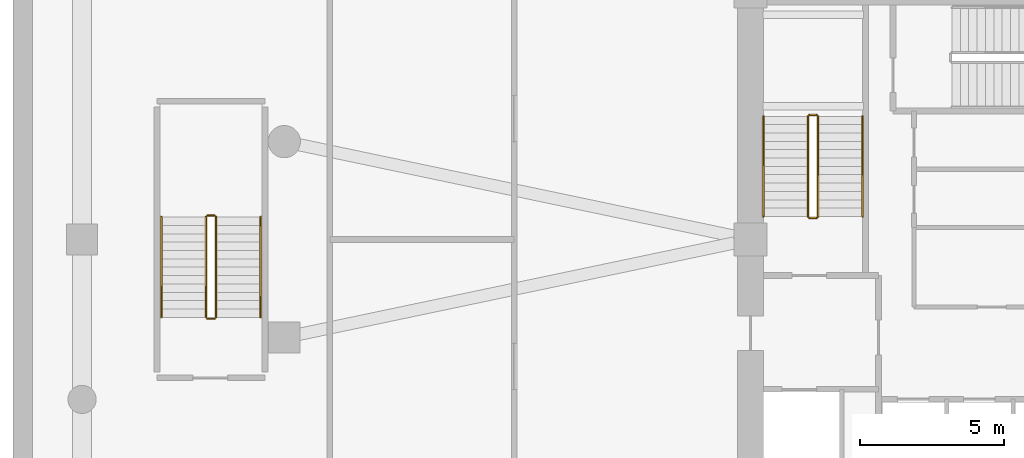
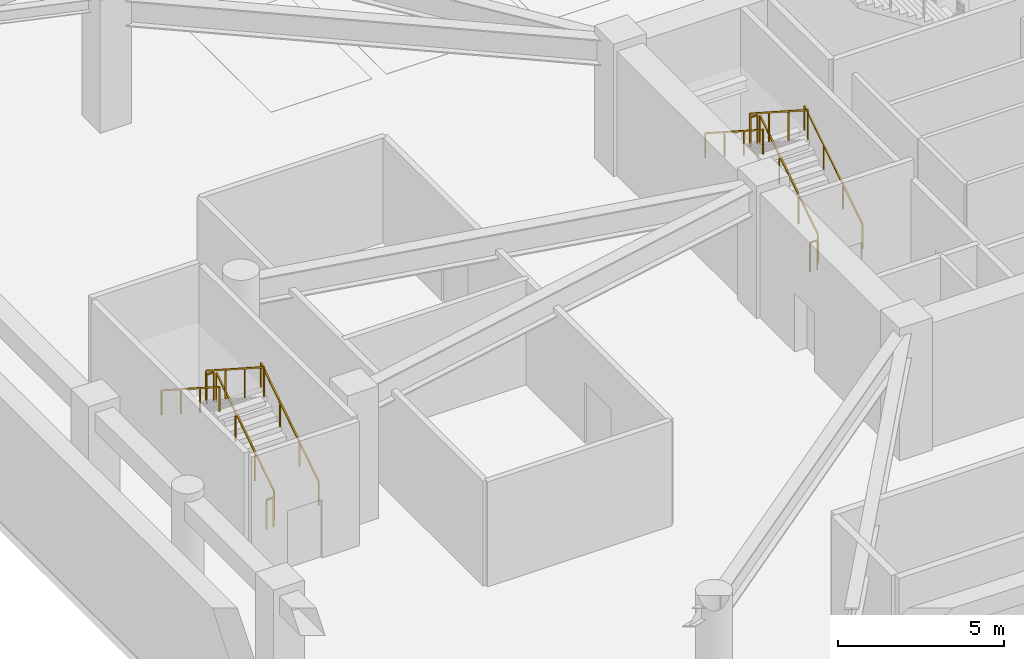
# One storey, part 5 of 8: 12 railings.
"""IFC4 building model written with IfcOpenShell, lengths in metres."""

from ifc_helpers import new_model, si_unit, derived_unit, direction, frame, origin, origin_2d, place, context, subcontext, project, spatial, rectangle, extrude, material, type_object, element, save


model = new_model("IFC4")

# Units and contexts
model_context = context("Model", 3, precision=1e-05, world=origin(), true_north=direction((0.0, 1.0)))
body_context = subcontext(model_context, "Body", "Model", "MODEL_VIEW")
ifc_project = project(units=[si_unit("LENGTHUNIT", "METRE"), si_unit("AREAUNIT", "SQUARE_METRE"), si_unit("VOLUMEUNIT", "CUBIC_METRE"), si_unit("PLANEANGLEUNIT", "RADIAN"), si_unit("MASSUNIT", "GRAM", prefix="KILO"), derived_unit("THERMALTRANSMITTANCEUNIT", [(si_unit("POWERUNIT", "WATT"), 1), (si_unit("LENGTHUNIT", "METRE"), -2), (si_unit("THERMODYNAMICTEMPERATUREUNIT", "KELVIN"), -1)])], contexts=[model_context])

# Site, building, storey
site_placement = place(None, origin())
site = spatial("IfcSite", under=ifc_project, at=site_placement, CompositionType="ELEMENT")
building_placement = place(site_placement, origin())
building = spatial("IfcBuilding", under=site, at=building_placement, Name="Koralith Skygarden Medical Center", CompositionType="ELEMENT")
storey_placement = place(building_placement, frame((0.0, 0.0, -4.860107421875)))
storey = spatial("IfcBuildingStorey", under=building, at=storey_placement, Name="B1", CompositionType="ELEMENT", Elevation=-4.860107421875)

# Railings
ifc_material = material(Name="Steel ASTM A500 Grade C", Category="steel")
railing_type_1 = type_object("IfcRailingType", Name="Stair Flight Tubular Handrail 920", PredefinedType="HANDRAIL", material=ifc_material)
railing_1_placement = place(storey_placement, frame((29.699951171875, 26.699951171875, 0.18701171875)))
element("IfcRailing", 1, at=railing_1_placement, inside=storey, type_object=railing_type_1, Name="B1 ST1 stair handrail 1", PredefinedType="HANDRAIL", context=body_context, shape_type="SweptSolid", body=[
    extrude(rectangle(XDim=0.050048828125, YDim=0.050048828125, at=origin_2d()), frame((0.0, 0.001708984375, 0.89599609375), z_axis=(0.0, 0.840514944087, 0.541788361602), x_axis=(-1.0, 0.0, 0.0)), (0.0, 0.0, 1.0), 4.13623046875),
    extrude(rectangle(XDim=0.0419921875, YDim=0.0419921875, at=origin_2d()), origin(), (0.0, 0.0, 1.0), 0.867919921875),
    extrude(rectangle(XDim=0.0419921875, YDim=0.0419921875, at=origin_2d()), frame((0.0, 1.159912109375, 0.747802734375)), (0.0, 0.0, 1.0), 0.867919921875),
    extrude(rectangle(XDim=0.0419921875, YDim=0.0419921875, at=origin_2d()), frame((0.0, 2.320068359375, 1.495361328125)), (0.0, 0.0, 1.0), 0.867919921875),
    extrude(rectangle(XDim=0.0419921875, YDim=0.0419921875, at=origin_2d()), frame((0.0, 3.47998046875, 2.2431640625)), (0.0, 0.0, 1.0), 0.867919921875),
])
railing_2_placement = place(storey_placement, frame((26.25, 30.179931640625, 2.616943359375)))
element("IfcRailing", 2, at=railing_2_placement, inside=storey, type_object=railing_type_1, Name="B1 ST1 stair handrail 2", PredefinedType="HANDRAIL", context=body_context, shape_type="SweptSolid", body=[
    extrude(rectangle(XDim=0.050048828125, YDim=0.050048828125, at=origin_2d()), frame((0.0, -0.001708984375, 0.89599609375), z_axis=(0.0, -0.840514944087, 0.541788361602), x_axis=(1.0, 0.0, 0.0)), (0.0, 0.0, 1.0), 4.13623046875),
    extrude(rectangle(XDim=0.0419921875, YDim=0.0419921875, at=origin_2d()), origin(), (0.0, 0.0, 1.0), 0.867919921875),
    extrude(rectangle(XDim=0.0419921875, YDim=0.0419921875, at=origin_2d()), frame((0.0, -1.159912109375, 0.747802734375)), (0.0, 0.0, 1.0), 0.867919921875),
    extrude(rectangle(XDim=0.0419921875, YDim=0.0419921875, at=origin_2d()), frame((0.0, -2.320068359375, 1.495361328125)), (0.0, 0.0, 1.0), 0.867919921875),
    extrude(rectangle(XDim=0.0419921875, YDim=0.0419921875, at=origin_2d()), frame((0.0, -3.47998046875, 2.2431640625)), (0.0, 0.0, 1.0), 0.867919921875),
])
railing_3_placement = place(storey_placement, frame((8.800048828125, 23.199951171875, 0.18701171875)))
element("IfcRailing", 3, at=railing_3_placement, inside=storey, type_object=railing_type_1, Name="B1 ST4 stair handrail 1", PredefinedType="HANDRAIL", context=body_context, shape_type="SweptSolid", body=[
    extrude(rectangle(XDim=0.050048828125, YDim=0.050048828125, at=origin_2d()), frame((0.0, 0.001708984375, 0.89599609375), z_axis=(0.0, 0.840514944087, 0.541788361602), x_axis=(-1.0, 0.0, 0.0)), (0.0, 0.0, 1.0), 4.13623046875),
    extrude(rectangle(XDim=0.0419921875, YDim=0.0419921875, at=origin_2d()), origin(), (0.0, 0.0, 1.0), 0.867919921875),
    extrude(rectangle(XDim=0.0419921875, YDim=0.0419921875, at=origin_2d()), frame((0.0, 1.159912109375, 0.747802734375)), (0.0, 0.0, 1.0), 0.867919921875),
    extrude(rectangle(XDim=0.0419921875, YDim=0.0419921875, at=origin_2d()), frame((0.0, 2.320068359375, 1.495361328125)), (0.0, 0.0, 1.0), 0.867919921875),
    extrude(rectangle(XDim=0.0419921875, YDim=0.0419921875, at=origin_2d()), frame((0.0, 3.47998046875, 2.2431640625)), (0.0, 0.0, 1.0), 0.867919921875),
])
railing_4_placement = place(storey_placement, frame((5.35009765625, 26.679931640625, 2.616943359375)))
element("IfcRailing", 4, at=railing_4_placement, inside=storey, type_object=railing_type_1, Name="B1 ST4 stair handrail 2", PredefinedType="HANDRAIL", context=body_context, shape_type="SweptSolid", body=[
    extrude(rectangle(XDim=0.050048828125, YDim=0.050048828125, at=origin_2d()), frame((0.0, -0.001708984375, 0.89599609375), z_axis=(0.0, -0.840514944087, 0.541788361602), x_axis=(1.0, 0.0, 0.0)), (0.0, 0.0, 1.0), 4.13623046875),
    extrude(rectangle(XDim=0.0419921875, YDim=0.0419921875, at=origin_2d()), origin(), (0.0, 0.0, 1.0), 0.867919921875),
    extrude(rectangle(XDim=0.0419921875, YDim=0.0419921875, at=origin_2d()), frame((0.0, -1.159912109375, 0.747802734375)), (0.0, 0.0, 1.0), 0.867919921875),
    extrude(rectangle(XDim=0.0419921875, YDim=0.0419921875, at=origin_2d()), frame((0.0, -2.320068359375, 1.495361328125)), (0.0, 0.0, 1.0), 0.867919921875),
    extrude(rectangle(XDim=0.0419921875, YDim=0.0419921875, at=origin_2d()), frame((0.0, -3.47998046875, 2.2431640625)), (0.0, 0.0, 1.0), 0.867919921875),
])
railing_type_2 = type_object("IfcRailingType", Name="Stair Well Safety Guardrail 1100", PredefinedType="GUARDRAIL", material=ifc_material)
railing_5_placement = place(storey_placement, frame((28.14990234375, 26.699951171875, 0.18701171875)))
element("IfcRailing", 5, at=railing_5_placement, inside=storey, type_object=railing_type_2, Name="B1 ST1 stair guard 1", PredefinedType="GUARDRAIL", context=body_context, shape_type="SweptSolid", body=[
    extrude(rectangle(XDim=0.050048828125, YDim=0.050048828125, at=origin_2d()), frame((0.0, 0.001708984375, 1.076171875), z_axis=(0.0, 0.840514944087, 0.541788361602), x_axis=(-1.0, 0.0, 0.0)), (0.0, 0.0, 1.0), 4.13623046875),
    extrude(rectangle(XDim=0.0419921875, YDim=0.0419921875, at=origin_2d()), origin(), (0.0, 0.0, 1.0), 1.048095703125),
    extrude(rectangle(XDim=0.0419921875, YDim=0.0419921875, at=origin_2d()), frame((0.0, 1.159912109375, 0.747802734375)), (0.0, 0.0, 1.0), 1.048095703125),
    extrude(rectangle(XDim=0.0419921875, YDim=0.0419921875, at=origin_2d()), frame((0.0, 2.320068359375, 1.495361328125)), (0.0, 0.0, 1.0), 1.048095703125),
    extrude(rectangle(XDim=0.0419921875, YDim=0.0419921875, at=origin_2d()), frame((0.0, 3.47998046875, 2.2431640625)), (0.0, 0.0, 1.0), 1.048095703125),
])
railing_6_placement = place(storey_placement, frame((28.10009765625, 30.22998046875, 2.43017578125)))
element("IfcRailing", 6, at=railing_6_placement, inside=storey, type_object=railing_type_2, Name="B1 ST1 stair guard 2", PredefinedType="GUARDRAIL", context=body_context, shape_type="SweptSolid", body=[
    extrude(rectangle(XDim=0.050048828125, YDim=0.050048828125, at=origin_2d()), frame((-0.001953125, 0.0, 1.0751953125), z_axis=(-1.0, 0.0, 0.0), x_axis=(0.0, -1.0, 0.0)), (0.0, 0.0, 1.0), 0.24609375),
    extrude(rectangle(XDim=0.0419921875, YDim=0.0419921875, at=origin_2d()), origin(), (0.0, 0.0, 1.0), 1.048095703125),
    extrude(rectangle(XDim=0.0419921875, YDim=0.0419921875, at=origin_2d()), frame((-0.25, 0.0, 0.0)), (0.0, 0.0, 1.0), 1.048095703125),
])
railing_7_placement = place(storey_placement, frame((27.800048828125, 30.179931640625, 2.616943359375)))
element("IfcRailing", 7, at=railing_7_placement, inside=storey, type_object=railing_type_2, Name="B1 ST1 stair guard 3", PredefinedType="GUARDRAIL", context=body_context, shape_type="SweptSolid", body=[
    extrude(rectangle(XDim=0.050048828125, YDim=0.050048828125, at=origin_2d()), frame((0.0, -0.001708984375, 1.076171875), z_axis=(0.0, -0.840514944087, 0.541788361602), x_axis=(1.0, 0.0, 0.0)), (0.0, 0.0, 1.0), 4.13623046875),
    extrude(rectangle(XDim=0.0419921875, YDim=0.0419921875, at=origin_2d()), origin(), (0.0, 0.0, 1.0), 1.048095703125),
    extrude(rectangle(XDim=0.0419921875, YDim=0.0419921875, at=origin_2d()), frame((0.0, -1.159912109375, 0.747802734375)), (0.0, 0.0, 1.0), 1.048095703125),
    extrude(rectangle(XDim=0.0419921875, YDim=0.0419921875, at=origin_2d()), frame((0.0, -2.320068359375, 1.495361328125)), (0.0, 0.0, 1.0), 1.048095703125),
    extrude(rectangle(XDim=0.0419921875, YDim=0.0419921875, at=origin_2d()), frame((0.0, -3.47998046875, 2.2431640625)), (0.0, 0.0, 1.0), 1.048095703125),
])
railing_8_placement = place(storey_placement, frame((28.10009765625, 26.64990234375, 0.0)))
element("IfcRailing", 8, at=railing_8_placement, inside=storey, type_object=railing_type_2, Name="B1 ST1 stair guard 4", PredefinedType="GUARDRAIL", context=body_context, shape_type="SweptSolid", body=[
    extrude(rectangle(XDim=0.050048828125, YDim=0.050048828125, at=origin_2d()), frame((-0.001953125, 0.0, 1.0751953125), z_axis=(-1.0, 0.0, 0.0), x_axis=(0.0, -1.0, 0.0)), (0.0, 0.0, 1.0), 0.24609375),
    extrude(rectangle(XDim=0.0419921875, YDim=0.0419921875, at=origin_2d()), origin(), (0.0, 0.0, 1.0), 1.048095703125),
    extrude(rectangle(XDim=0.0419921875, YDim=0.0419921875, at=origin_2d()), frame((-0.25, 0.0, 0.0)), (0.0, 0.0, 1.0), 1.048095703125),
])
railing_9_placement = place(storey_placement, frame((7.25, 23.199951171875, 0.18701171875)))
element("IfcRailing", 9, at=railing_9_placement, inside=storey, type_object=railing_type_2, Name="B1 ST4 stair guard 1", PredefinedType="GUARDRAIL", context=body_context, shape_type="SweptSolid", body=[
    extrude(rectangle(XDim=0.050048828125, YDim=0.050048828125, at=origin_2d()), frame((0.0, 0.001708984375, 1.076171875), z_axis=(0.0, 0.840514944087, 0.541788361602), x_axis=(-1.0, 0.0, 0.0)), (0.0, 0.0, 1.0), 4.13623046875),
    extrude(rectangle(XDim=0.0419921875, YDim=0.0419921875, at=origin_2d()), origin(), (0.0, 0.0, 1.0), 1.048095703125),
    extrude(rectangle(XDim=0.0419921875, YDim=0.0419921875, at=origin_2d()), frame((0.0, 1.159912109375, 0.747802734375)), (0.0, 0.0, 1.0), 1.048095703125),
    extrude(rectangle(XDim=0.0419921875, YDim=0.0419921875, at=origin_2d()), frame((0.0, 2.320068359375, 1.495361328125)), (0.0, 0.0, 1.0), 1.048095703125),
    extrude(rectangle(XDim=0.0419921875, YDim=0.0419921875, at=origin_2d()), frame((0.0, 3.47998046875, 2.2431640625)), (0.0, 0.0, 1.0), 1.048095703125),
])
railing_10_placement = place(storey_placement, frame((7.199951171875, 26.72998046875, 2.43017578125)))
element("IfcRailing", 10, at=railing_10_placement, inside=storey, type_object=railing_type_2, Name="B1 ST4 stair guard 2", PredefinedType="GUARDRAIL", context=body_context, shape_type="SweptSolid", body=[
    extrude(rectangle(XDim=0.050048828125, YDim=0.050048828125, at=origin_2d()), frame((-0.001953125, 0.0, 1.0751953125), z_axis=(-1.0, 0.0, 0.0), x_axis=(0.0, -1.0, 0.0)), (0.0, 0.0, 1.0), 0.24609375),
    extrude(rectangle(XDim=0.0419921875, YDim=0.0419921875, at=origin_2d()), origin(), (0.0, 0.0, 1.0), 1.048095703125),
    extrude(rectangle(XDim=0.0419921875, YDim=0.0419921875, at=origin_2d()), frame((-0.25, 0.0, 0.0)), (0.0, 0.0, 1.0), 1.048095703125),
])
railing_11_placement = place(storey_placement, frame((6.89990234375, 26.679931640625, 2.616943359375)))
element("IfcRailing", 11, at=railing_11_placement, inside=storey, type_object=railing_type_2, Name="B1 ST4 stair guard 3", PredefinedType="GUARDRAIL", context=body_context, shape_type="SweptSolid", body=[
    extrude(rectangle(XDim=0.050048828125, YDim=0.050048828125, at=origin_2d()), frame((0.0, -0.001708984375, 1.076171875), z_axis=(0.0, -0.840514944087, 0.541788361602), x_axis=(1.0, 0.0, 0.0)), (0.0, 0.0, 1.0), 4.13623046875),
    extrude(rectangle(XDim=0.0419921875, YDim=0.0419921875, at=origin_2d()), origin(), (0.0, 0.0, 1.0), 1.048095703125),
    extrude(rectangle(XDim=0.0419921875, YDim=0.0419921875, at=origin_2d()), frame((0.0, -1.159912109375, 0.747802734375)), (0.0, 0.0, 1.0), 1.048095703125),
    extrude(rectangle(XDim=0.0419921875, YDim=0.0419921875, at=origin_2d()), frame((0.0, -2.320068359375, 1.495361328125)), (0.0, 0.0, 1.0), 1.048095703125),
    extrude(rectangle(XDim=0.0419921875, YDim=0.0419921875, at=origin_2d()), frame((0.0, -3.47998046875, 2.2431640625)), (0.0, 0.0, 1.0), 1.048095703125),
])
railing_12_placement = place(storey_placement, frame((7.199951171875, 23.14990234375, 0.0)))
element("IfcRailing", 12, at=railing_12_placement, inside=storey, type_object=railing_type_2, Name="B1 ST4 stair guard 4", PredefinedType="GUARDRAIL", context=body_context, shape_type="SweptSolid", body=[
    extrude(rectangle(XDim=0.050048828125, YDim=0.050048828125, at=origin_2d()), frame((-0.001953125, 0.0, 1.0751953125), z_axis=(-1.0, 0.0, 0.0), x_axis=(0.0, -1.0, 0.0)), (0.0, 0.0, 1.0), 0.24609375),
    extrude(rectangle(XDim=0.0419921875, YDim=0.0419921875, at=origin_2d()), origin(), (0.0, 0.0, 1.0), 1.048095703125),
    extrude(rectangle(XDim=0.0419921875, YDim=0.0419921875, at=origin_2d()), frame((-0.25, 0.0, 0.0)), (0.0, 0.0, 1.0), 1.048095703125),
])

save(model, "model.ifc")
